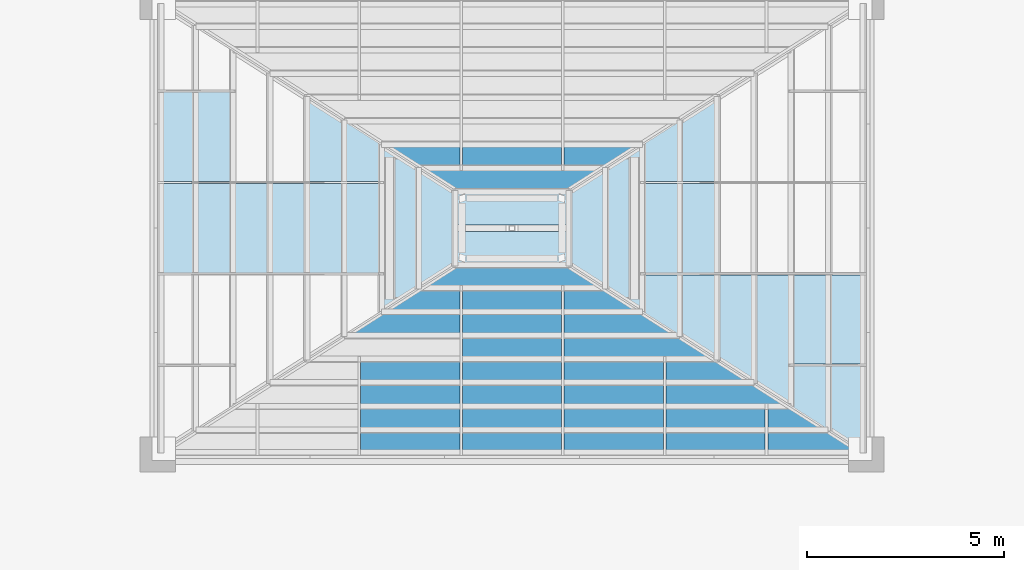
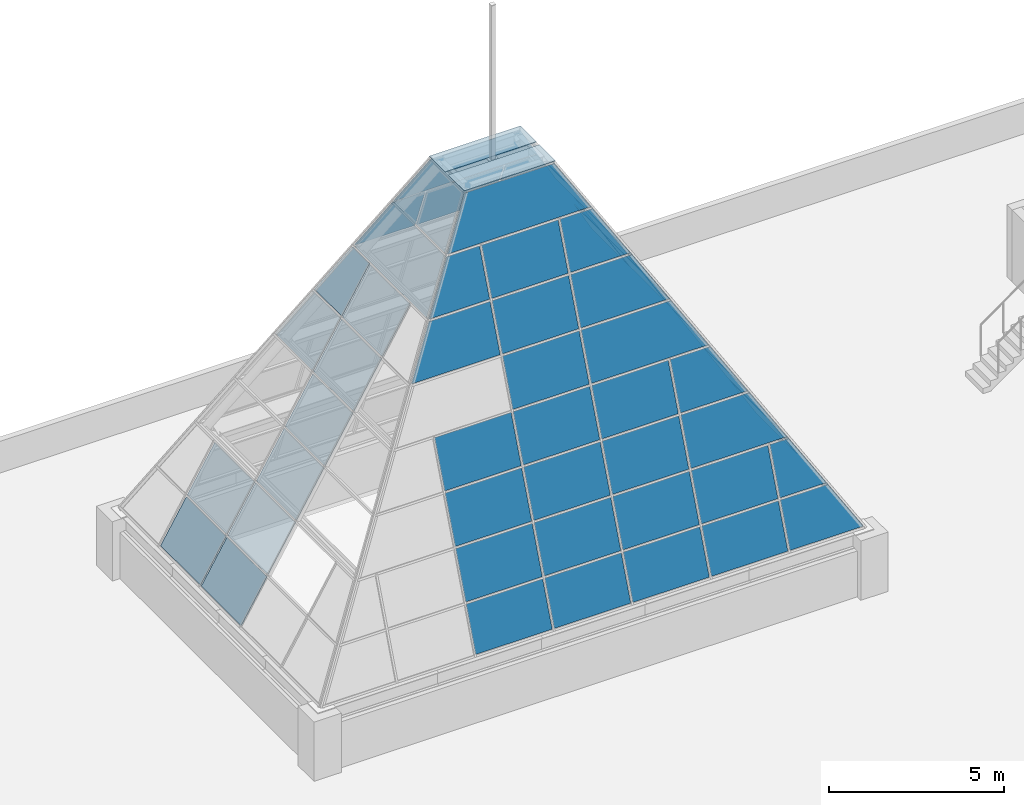
# One storey, part 5 of 8: 59 plates, 4 elements without a shape of their own.
"""IFC4 building model written with IfcOpenShell, lengths in metres."""

from ifc_helpers import new_model, si_unit, direction, frame, origin, place, context, subcontext, project, spatial, polyline, outline, extrude, material, layer, layer_set, type_object, element, aggregate, save


model = new_model("IFC4")

# Units and contexts
model_context = context("Model", 3, precision=1e-05, world=origin(), true_north=direction((0.0, 1.0)))
body_context = subcontext(model_context, "Body", "Model", "MODEL_VIEW")
ifc_project = project(units=[si_unit("LENGTHUNIT", "METRE"), si_unit("AREAUNIT", "SQUARE_METRE"), si_unit("VOLUMEUNIT", "CUBIC_METRE"), si_unit("PLANEANGLEUNIT", "RADIAN"), si_unit("MASSUNIT", "GRAM", prefix="KILO")], contexts=[model_context])

# Site, building, storey
site_placement = place(None, origin())
site = spatial("IfcSite", under=ifc_project, at=site_placement, CompositionType="ELEMENT")
building_placement = place(site_placement, origin())
building = spatial("IfcBuilding", under=site, at=building_placement, Name="Brigalow Station Residences", CompositionType="ELEMENT")
storey_placement = place(building_placement, frame((0.0, 0.0, 244.199951171875)))
storey = spatial("IfcBuildingStorey", under=building, at=storey_placement, Name="Roof", CompositionType="ELEMENT", Elevation=244.199951171875)

# Curtain wall, plates
ifc_material_1 = material(Name="Aluminium", Category="aluminium")
ifc_layer_1 = layer(ifc_material_1, 0.14990234375)
ifc_layer_set_1 = layer_set([ifc_layer_1], Name="CROWN CURTAIN WALL")
curtain_wall_type = type_object("IfcCurtainWallType", Name="CROWN CURTAIN WALL", PredefinedType="NOTDEFINED", material=ifc_layer_set_1)
curtain_wall_1_placement = place(storey_placement, origin())
curtain_wall_1 = element("IfcCurtainWall", 1, at=curtain_wall_1_placement, inside=storey, type_object=curtain_wall_type, Name="Roof/cw/crown-S", PredefinedType="NOTDEFINED")
ifc_material_2 = material(Name="Laminated low-emissivity glass, 24 mm", Category="glass")
ifc_layer_2 = layer(ifc_material_2, 0.02392578125)
ifc_layer_set_2 = layer_set([ifc_layer_2], Name="CROWN GLASS PANEL 24")
plate_type_1 = type_object("IfcPlateType", Name="CROWN GLASS PANEL 24", PredefinedType="CURTAIN_PANEL", material=ifc_layer_set_2)
plate_1_placement = place(storey_placement, frame((32.15380859375, 24.04052734375, 2.156982421875), z_axis=(0.0, -0.933889775991, 0.357561024581), x_axis=(1.0, 0.0, 0.0)))
plate_1 = element("IfcPlate", 2, at=plate_1_placement, type_object=plate_type_1, Name="Roof/cw/crown-S/P02-00", PredefinedType="CURTAIN_PANEL", context=body_context, shape_type="SweptSolid", body=[
    extrude(outline(polyline([(0.0, 0.0), (2.520751953125, 0.0), (2.520751953125, 1.52331405530761), (0.0, 1.52331405530761), (0.0, 0.0)])), origin(), (0.0, 0.0, -1.0), 0.02392578125),
])
plate_2_placement = place(storey_placement, frame((34.739501953125, 24.04052734375, 2.156982421875), z_axis=(0.0, -0.933889775991, 0.357561024581), x_axis=(1.0, 0.0, 0.0)))
plate_2 = element("IfcPlate", 3, at=plate_2_placement, type_object=plate_type_1, Name="Roof/cw/crown-S/P03-00", PredefinedType="CURTAIN_PANEL", context=body_context, shape_type="SweptSolid", body=[
    extrude(outline(polyline([(0.0, 0.0), (2.52099609375, 0.0), (2.52099609375, 1.5233140553076103), (0.0, 1.5233140553076103), (0.0, 0.0)])), origin(), (0.0, 0.0, -1.0), 0.02392578125),
])
plate_3_placement = place(storey_placement, frame((37.325439453125, 24.04052734375, 2.156982421875), z_axis=(0.0, -0.933889775991, 0.357561024581), x_axis=(1.0, 0.0, 0.0)))
plate_3 = element("IfcPlate", 4, at=plate_3_placement, type_object=plate_type_1, Name="Roof/cw/crown-S/P04-00", PredefinedType="CURTAIN_PANEL", context=body_context, shape_type="SweptSolid", body=[
    extrude(outline(polyline([(0.0, 0.0), (2.520751953125, 0.0), (2.520751953125, 1.52331405530761), (0.0, 1.52331405530761), (0.0, 0.0)])), origin(), (0.0, 0.0, -1.0), 0.02392578125),
])
plate_4_placement = place(storey_placement, frame((39.9111328125, 24.04052734375, 2.156982421875), z_axis=(0.0, -0.933889775991, 0.357561024581), x_axis=(1.0, 0.0, 0.0)))
plate_4 = element("IfcPlate", 5, at=plate_4_placement, type_object=plate_type_1, Name="Roof/cw/crown-S/P05-00", PredefinedType="CURTAIN_PANEL", context=body_context, shape_type="SweptSolid", body=[
    extrude(outline(polyline([(0.0, 0.0), (2.520751953125, 0.0), (2.520751953125, 1.52331405530761), (0.0, 1.52331405530761), (0.0, 0.0)])), origin(), (0.0, 0.0, -1.0), 0.02392578125),
])
plate_5_placement = place(storey_placement, frame((42.496826171875, 24.04052734375, 2.156982421875), z_axis=(0.0, -0.933889775991, 0.357561024581), x_axis=(1.0, 0.0, 0.0)))
plate_5 = element("IfcPlate", 6, at=plate_5_placement, type_object=plate_type_1, Name="Roof/cw/crown-S/P06-00", PredefinedType="CURTAIN_PANEL", context=body_context, shape_type="SweptSolid", body=[
    extrude(outline(polyline([(0.0, 0.0), (2.40966796875, 0.0), (1.55322265625, 1.5233140553076103), (0.0, 1.5233140553076103), (0.0, 0.0)])), origin(), (0.0, 0.0, -1.0), 0.02392578125),
])
plate_6_placement = place(storey_placement, frame((32.15380859375, 24.6083984375, 3.640380859375), z_axis=(0.0, -0.933944898525, 0.357417020466), x_axis=(1.0, 0.0, 0.0)))
plate_6 = element("IfcPlate", 7, at=plate_6_placement, type_object=plate_type_1, Name="Roof/cw/crown-S/P02-01", PredefinedType="CURTAIN_PANEL", context=body_context, shape_type="SweptSolid", body=[
    extrude(outline(polyline([(0.0, 0.0), (2.520751953125, 0.0), (2.520751953125, 1.6134098916108637), (0.0, 1.6134098916108637), (0.0, 0.0)])), origin(), (0.0, 0.0, -1.0), 0.02392578125),
])
plate_7_placement = place(storey_placement, frame((34.739501953125, 24.6083984375, 3.640380859375), z_axis=(0.0, -0.933944898525, 0.357417020466), x_axis=(1.0, 0.0, 0.0)))
plate_7 = element("IfcPlate", 8, at=plate_7_placement, type_object=plate_type_1, Name="Roof/cw/crown-S/P03-01", PredefinedType="CURTAIN_PANEL", context=body_context, shape_type="SweptSolid", body=[
    extrude(outline(polyline([(0.0, 0.0), (2.52099609375, 0.0), (2.52099609375, 1.6134098916108635), (0.0, 1.6134098916108635), (0.0, 0.0)])), origin(), (0.0, 0.0, -1.0), 0.02392578125),
])
plate_8_placement = place(storey_placement, frame((37.325439453125, 24.6083984375, 3.640380859375), z_axis=(0.0, -0.933944898525, 0.357417020466), x_axis=(1.0, 0.0, 0.0)))
plate_8 = element("IfcPlate", 9, at=plate_8_placement, type_object=plate_type_1, Name="Roof/cw/crown-S/P04-01", PredefinedType="CURTAIN_PANEL", context=body_context, shape_type="SweptSolid", body=[
    extrude(outline(polyline([(0.0, 0.0), (2.520751953125, 0.0), (2.520751953125, 1.6134098916108637), (0.0, 1.6134098916108637), (0.0, 0.0)])), origin(), (0.0, 0.0, -1.0), 0.02392578125),
])
plate_9_placement = place(storey_placement, frame((39.9111328125, 24.6083984375, 3.640380859375), z_axis=(0.0, -0.933944898525, 0.357417020466), x_axis=(1.0, 0.0, 0.0)))
plate_9 = element("IfcPlate", 10, at=plate_9_placement, type_object=plate_type_1, Name="Roof/cw/crown-S/P05-01", PredefinedType="CURTAIN_PANEL", context=body_context, shape_type="SweptSolid", body=[
    extrude(outline(polyline([(0.0, 0.0), (2.520751953125, 0.0), (2.520751953125, 1.6134098916108637), (0.0, 1.6134098916108637), (0.0, 0.0)])), origin(), (0.0, 0.0, -1.0), 0.02392578125),
])
plate_10_placement = place(storey_placement, frame((42.496826171875, 24.6083984375, 3.640380859375), z_axis=(0.0, -0.933944898525, 0.357417020466), x_axis=(1.0, 0.0, 0.0)))
plate_10 = element("IfcPlate", 11, at=plate_10_placement, type_object=plate_type_1, Name="Roof/cw/crown-S/P06-01", PredefinedType="CURTAIN_PANEL", context=body_context, shape_type="SweptSolid", body=[
    extrude(outline(polyline([(0.0, 0.0), (1.5166015625, 0.0), (0.609375, 1.6134098916108637), (0.0, 1.6134098916108637), (0.0, 0.0)])), origin(), (0.0, 0.0, -1.0), 0.02392578125),
])
plate_11_placement = place(storey_placement, frame((32.15380859375, 25.208251953125, 5.207763671875), z_axis=(0.0, -0.933894380251, 0.35754899879), x_axis=(1.0, 0.0, 0.0)))
plate_11 = element("IfcPlate", 12, at=plate_11_placement, type_object=plate_type_1, Name="Roof/cw/crown-S/P01-02", PredefinedType="CURTAIN_PANEL", context=body_context, shape_type="SweptSolid", body=[
    extrude(outline(polyline([(0.0, 0.0), (2.520751953125, 0.0), (2.520751953125, 1.6134971677366967), (0.0, 1.6134971677366967), (0.0, 0.0)])), origin(), (0.0, 0.0, -1.0), 0.02392578125),
])
plate_12_placement = place(storey_placement, frame((34.739501953125, 25.208251953125, 5.207763671875), z_axis=(0.0, -0.933894380251, 0.35754899879), x_axis=(1.0, 0.0, 0.0)))
plate_12 = element("IfcPlate", 13, at=plate_12_placement, type_object=plate_type_1, Name="Roof/cw/crown-S/P02-02", PredefinedType="CURTAIN_PANEL", context=body_context, shape_type="SweptSolid", body=[
    extrude(outline(polyline([(0.0, 0.0), (2.52099609375, 0.0), (2.52099609375, 1.613497167736697), (0.0, 1.613497167736697), (0.0, 0.0)])), origin(), (0.0, 0.0, -1.0), 0.02392578125),
])
plate_13_placement = place(storey_placement, frame((37.325439453125, 25.208251953125, 5.207763671875), z_axis=(0.0, -0.933894380251, 0.35754899879), x_axis=(1.0, 0.0, 0.0)))
plate_13 = element("IfcPlate", 14, at=plate_13_placement, type_object=plate_type_1, Name="Roof/cw/crown-S/P03-02", PredefinedType="CURTAIN_PANEL", context=body_context, shape_type="SweptSolid", body=[
    extrude(outline(polyline([(0.0, 0.0), (2.520751953125, 0.0), (2.520751953125, 1.6134971677366967), (0.0, 1.6134971677366967), (0.0, 0.0)])), origin(), (0.0, 0.0, -1.0), 0.02392578125),
])
plate_14_placement = place(storey_placement, frame((39.9111328125, 25.208251953125, 5.207763671875), z_axis=(0.0, -0.933894380251, 0.35754899879), x_axis=(1.0, 0.0, 0.0)))
plate_14 = element("IfcPlate", 15, at=plate_14_placement, type_object=plate_type_1, Name="Roof/cw/crown-S/P04-02", PredefinedType="CURTAIN_PANEL", context=body_context, shape_type="SweptSolid", body=[
    extrude(outline(polyline([(0.0, 0.0), (3.158447265625, 0.0), (2.25146484375, 1.6134971677366967), (0.0, 1.6134971677366967), (0.0, 0.0)])), origin(), (0.0, 0.0, -1.0), 0.02392578125),
])
plate_15_placement = place(storey_placement, frame((32.15380859375, 25.808349609375, 6.775146484375), z_axis=(0.0, -0.933944898525, 0.357417020466), x_axis=(1.0, 0.0, 0.0)))
plate_15 = element("IfcPlate", 16, at=plate_15_placement, type_object=plate_type_1, Name="Roof/cw/crown-S/P01-03", PredefinedType="CURTAIN_PANEL", context=body_context, shape_type="SweptSolid", body=[
    extrude(outline(polyline([(0.0, 0.0), (2.520751953125, 0.0), (2.520751953125, 1.6134098916108637), (0.0, 1.6134098916108637), (0.0, 0.0)])), origin(), (0.0, 0.0, -1.0), 0.02392578125),
])
plate_16_placement = place(storey_placement, frame((34.739501953125, 25.808349609375, 6.775146484375), z_axis=(0.0, -0.933944898525, 0.357417020466), x_axis=(1.0, 0.0, 0.0)))
plate_16 = element("IfcPlate", 17, at=plate_16_placement, type_object=plate_type_1, Name="Roof/cw/crown-S/P02-03", PredefinedType="CURTAIN_PANEL", context=body_context, shape_type="SweptSolid", body=[
    extrude(outline(polyline([(0.0, 0.0), (2.52099609375, 0.0), (2.52099609375, 1.6134098916108635), (0.0, 1.6134098916108635), (0.0, 0.0)])), origin(), (0.0, 0.0, -1.0), 0.02392578125),
])
plate_17_placement = place(storey_placement, frame((37.325439453125, 25.808349609375, 6.775146484375), z_axis=(0.0, -0.933944898525, 0.357417020466), x_axis=(1.0, 0.0, 0.0)))
plate_17 = element("IfcPlate", 18, at=plate_17_placement, type_object=plate_type_1, Name="Roof/cw/crown-S/P03-03", PredefinedType="CURTAIN_PANEL", context=body_context, shape_type="SweptSolid", body=[
    extrude(outline(polyline([(0.0, 0.0), (2.520751953125, 0.0), (2.520751953125, 1.6134098916108637), (0.0, 1.6134098916108637), (0.0, 0.0)])), origin(), (0.0, 0.0, -1.0), 0.02392578125),
])
plate_18_placement = place(storey_placement, frame((39.9111328125, 25.808349609375, 6.775146484375), z_axis=(0.0, -0.933944898525, 0.357417020466), x_axis=(1.0, 0.0, 0.0)))
plate_18 = element("IfcPlate", 19, at=plate_18_placement, type_object=plate_type_1, Name="Roof/cw/crown-S/P04-03", PredefinedType="CURTAIN_PANEL", context=body_context, shape_type="SweptSolid", body=[
    extrude(outline(polyline([(0.0, 0.0), (2.21484375, 0.0), (1.3076171875, 1.6134098916108635), (0.0, 1.6134098916108635), (0.0, 0.0)])), origin(), (0.0, 0.0, -1.0), 0.02392578125),
])
plate_19_placement = place(storey_placement, frame((34.739501953125, 26.408203125, 8.3427734375), z_axis=(0.0, -0.933875032297, 0.357599530274), x_axis=(1.0, 0.0, 0.0)))
plate_19 = element("IfcPlate", 20, at=plate_19_placement, type_object=plate_type_1, Name="Roof/cw/crown-S/P01-04", PredefinedType="CURTAIN_PANEL", context=body_context, shape_type="SweptSolid", body=[
    extrude(outline(polyline([(0.0, 0.0), (2.52099609375, 0.0), (2.52099609375, 1.6132691685406622), (0.0, 1.6132691685406622), (0.0, 0.0)])), origin(), (0.0, 0.0, -1.0), 0.02392578125),
])
plate_20_placement = place(storey_placement, frame((37.325439453125, 26.408203125, 8.3427734375), z_axis=(0.0, -0.933875032297, 0.357599530274), x_axis=(1.0, 0.0, 0.0)))
plate_20 = element("IfcPlate", 21, at=plate_20_placement, type_object=plate_type_1, Name="Roof/cw/crown-S/P02-04", PredefinedType="CURTAIN_PANEL", context=body_context, shape_type="SweptSolid", body=[
    extrude(outline(polyline([(0.0, 0.0), (3.856689453125, 0.0), (2.949462890625, 1.6132691685406622), (0.0, 1.6132691685406622), (0.0, 0.0)])), origin(), (0.0, 0.0, -1.0), 0.02392578125),
])
plate_21_placement = place(storey_placement, frame((31.76171875, 27.00830078125, 9.91015625), z_axis=(0.0, -0.933894380251, 0.35754899879), x_axis=(1.0, 0.0, 0.0)))
plate_21 = element("IfcPlate", 22, at=plate_21_placement, type_object=plate_type_1, Name="Roof/cw/crown-S/P00-05", PredefinedType="CURTAIN_PANEL", context=body_context, shape_type="SweptSolid", body=[
    extrude(outline(polyline([(0.0, 0.0), (2.912841796875, 0.0), (2.912841796875, 1.6134971677366967), (0.906982421875, 1.6134971677366967), (0.0, 0.0)])), origin(), (0.0, 0.0, -1.0), 0.02392578125),
])
plate_22_placement = place(storey_placement, frame((34.739501953125, 27.00830078125, 9.91015625), z_axis=(0.0, -0.933894380251, 0.35754899879), x_axis=(1.0, 0.0, 0.0)))
plate_22 = element("IfcPlate", 23, at=plate_22_placement, type_object=plate_type_1, Name="Roof/cw/crown-S/P01-05", PredefinedType="CURTAIN_PANEL", context=body_context, shape_type="SweptSolid", body=[
    extrude(outline(polyline([(0.0, 0.0), (2.52099609375, 0.0), (2.52099609375, 1.613497167736697), (0.0, 1.613497167736697), (0.0, 0.0)])), origin(), (0.0, 0.0, -1.0), 0.02392578125),
])
plate_23_placement = place(storey_placement, frame((37.325439453125, 27.00830078125, 9.91015625), z_axis=(0.0, -0.933894380251, 0.35754899879), x_axis=(1.0, 0.0, 0.0)))
plate_23 = element("IfcPlate", 24, at=plate_23_placement, type_object=plate_type_1, Name="Roof/cw/crown-S/P02-05", PredefinedType="CURTAIN_PANEL", context=body_context, shape_type="SweptSolid", body=[
    extrude(outline(polyline([(0.0, 0.0), (2.912841796875, 0.0), (2.005859375, 1.6134971677366967), (0.0, 1.6134971677366967), (0.0, 0.0)])), origin(), (0.0, 0.0, -1.0), 0.02392578125),
])
plate_24_placement = place(storey_placement, frame((32.705322265625, 27.6083984375, 11.4775390625), z_axis=(0.0, -0.933944898525, 0.357417020466), x_axis=(1.0, 0.0, 0.0)))
plate_24 = element("IfcPlate", 25, at=plate_24_placement, type_object=plate_type_1, Name="Roof/cw/crown-S/P00-06", PredefinedType="CURTAIN_PANEL", context=body_context, shape_type="SweptSolid", body=[
    extrude(outline(polyline([(0.0, 0.0), (1.96923828125, 0.0), (1.96923828125, 1.6134098916108635), (0.9072265625, 1.6134098916108635), (0.0, 0.0)])), origin(), (0.0, 0.0, -1.0), 0.02392578125),
])
plate_25_placement = place(storey_placement, frame((34.739501953125, 27.6083984375, 11.4775390625), z_axis=(0.0, -0.933944898525, 0.357417020466), x_axis=(1.0, 0.0, 0.0)))
plate_25 = element("IfcPlate", 26, at=plate_25_placement, type_object=plate_type_1, Name="Roof/cw/crown-S/P01-06", PredefinedType="CURTAIN_PANEL", context=body_context, shape_type="SweptSolid", body=[
    extrude(outline(polyline([(0.0, 0.0), (2.52099609375, 0.0), (2.52099609375, 1.6134098916108635), (0.0, 1.6134098916108635), (0.0, 0.0)])), origin(), (0.0, 0.0, -1.0), 0.02392578125),
])
plate_26_placement = place(storey_placement, frame((37.325439453125, 27.6083984375, 11.4775390625), z_axis=(0.0, -0.933944898525, 0.357417020466), x_axis=(1.0, 0.0, 0.0)))
plate_26 = element("IfcPlate", 27, at=plate_26_placement, type_object=plate_type_1, Name="Roof/cw/crown-S/P02-06", PredefinedType="CURTAIN_PANEL", context=body_context, shape_type="SweptSolid", body=[
    extrude(outline(polyline([(0.0, 0.0), (1.96923828125, 0.0), (1.06201171875, 1.6134098916108635), (0.0, 1.6134098916108635), (0.0, 0.0)])), origin(), (0.0, 0.0, -1.0), 0.02392578125),
])
plate_27_placement = place(storey_placement, frame((33.649169921875, 28.208251953125, 13.045166015625), z_axis=(0.0, -0.933901741184, 0.357529771927), x_axis=(1.0, 0.0, 0.0)))
plate_27 = element("IfcPlate", 28, at=plate_27_placement, type_object=plate_type_1, Name="Roof/cw/crown-S/P00-07", PredefinedType="CURTAIN_PANEL", context=body_context, shape_type="SweptSolid", body=[
    extrude(outline(polyline([(0.0, 0.0), (4.70166015625, 0.0), (3.812744140625, 1.5808069460323368), (0.888916015625, 1.5808069460323368), (0.0, 0.0)])), origin(), (0.0, 0.0, -1.0), 0.02392578125),
])
aggregate(curtain_wall_1, [plate_1, plate_2, plate_3, plate_4, plate_5, plate_6, plate_7, plate_8, plate_9, plate_10, plate_11, plate_12, plate_13, plate_14, plate_15, plate_16, plate_17, plate_18, plate_19, plate_20, plate_21, plate_22, plate_23, plate_24, plate_25, plate_26, plate_27])

curtain_wall_2_placement = place(storey_placement, origin())
curtain_wall_2 = element("IfcCurtainWall", 29, at=curtain_wall_2_placement, inside=storey, type_object=curtain_wall_type, Name="Roof/cw/crown-E", PredefinedType="NOTDEFINED")
plate_28_placement = place(storey_placement, frame((44.927001953125, 24.0537109375, 2.167724609375), z_axis=(0.856678360594, 0.0, 0.515850934369), x_axis=(0.0, 1.0, 0.0)))
plate_28 = element("IfcPlate", 30, at=plate_28_placement, type_object=plate_type_1, Name="Roof/cw/crown-E/P00-00", PredefinedType="CURTAIN_PANEL", context=body_context, shape_type="SweptSolid", body=[
    extrude(outline(polyline([(0.0, 0.0), (2.19140625, 0.0), (2.19140625, 1.641799542653841), (0.538330078125, 1.641799542653841), (0.0, 0.0)])), origin(), (0.0, 0.0, -1.0), 0.02392578125),
])
plate_29_placement = place(storey_placement, frame((44.927001953125, 26.294921875, 2.167724609375), z_axis=(0.856678360594, 0.0, 0.515850934369), x_axis=(0.0, 1.0, 0.0)))
plate_29 = element("IfcPlate", 31, at=plate_29_placement, type_object=plate_type_1, Name="Roof/cw/crown-E/P01-00", PredefinedType="CURTAIN_PANEL", context=body_context, shape_type="SweptSolid", body=[
    extrude(outline(polyline([(0.0, 0.0), (2.27001953125, 0.0), (2.27001953125, 1.641799542653841), (0.0, 1.641799542653841), (0.0, 0.0)])), origin(), (0.0, 0.0, -1.0), 0.02392578125),
])
plate_30_placement = place(storey_placement, frame((44.046630859375, 24.61328125, 3.6298828125), z_axis=(0.856747426204, 0.0, 0.515736219101), x_axis=(0.0, 1.0, 0.0)))
plate_30 = element("IfcPlate", 32, at=plate_30_placement, type_object=plate_type_1, Name="Roof/cw/crown-E/P00-01", PredefinedType="CURTAIN_PANEL", context=body_context, shape_type="SweptSolid", body=[
    extrude(outline(polyline([(0.0, 0.0), (1.6318359375, 0.0), (1.6318359375, 1.7647708582252735), (0.57861328125, 1.7647708582252735), (0.0, 0.0)])), origin(), (0.0, 0.0, -1.0), 0.02392578125),
])
plate_31_placement = place(storey_placement, frame((44.046630859375, 26.294921875, 3.6298828125), z_axis=(0.856747426204, 0.0, 0.515736219101), x_axis=(0.0, 1.0, 0.0)))
plate_31 = element("IfcPlate", 33, at=plate_31_placement, type_object=plate_type_1, Name="Roof/cw/crown-E/P01-01", PredefinedType="CURTAIN_PANEL", context=body_context, shape_type="SweptSolid", body=[
    extrude(outline(polyline([(0.0, 0.0), (2.27001953125, 0.0), (2.27001953125, 1.7647708582252735), (0.0, 1.7647708582252735), (0.0, 0.0)])), origin(), (0.0, 0.0, -1.0), 0.02392578125),
])
plate_32_placement = place(storey_placement, frame((43.102783203125, 25.21337890625, 5.197509765625), z_axis=(0.856710623121, 0.0, 0.515797351905), x_axis=(0.0, 1.0, 0.0)))
plate_32 = element("IfcPlate", 34, at=plate_32_placement, type_object=plate_type_1, Name="Roof/cw/crown-E/P00-02", PredefinedType="CURTAIN_PANEL", context=body_context, shape_type="SweptSolid", body=[
    extrude(outline(polyline([(0.0, 0.0), (3.3515625, 0.0), (3.3515625, 1.7645616958654702), (0.57861328125, 1.7645616958654702), (0.0, 0.0)])), origin(), (0.0, 0.0, -1.0), 0.02392578125),
])
plate_33_placement = place(storey_placement, frame((42.1591796875, 25.813232421875, 6.764892578125), z_axis=(0.856649482729, 0.0, 0.515898889066), x_axis=(0.0, 1.0, 0.0)))
plate_33 = element("IfcPlate", 35, at=plate_33_placement, type_object=plate_type_1, Name="Roof/cw/crown-E/P00-03", PredefinedType="CURTAIN_PANEL", context=body_context, shape_type="SweptSolid", body=[
    extrude(outline(polyline([(0.0, 0.0), (2.751708984375, 0.0), (2.751708984375, 1.7646876353484533), (0.578857421875, 1.7646876353484533), (0.0, 0.0)])), origin(), (0.0, 0.0, -1.0), 0.02392578125),
])
plate_34_placement = place(storey_placement, frame((41.21533203125, 26.413330078125, 8.332275390625), z_axis=(0.856710623121, 0.0, 0.515797351905), x_axis=(0.0, 1.0, 0.0)))
plate_34 = element("IfcPlate", 36, at=plate_34_placement, type_object=plate_type_1, Name="Roof/cw/crown-E/P00-04", PredefinedType="CURTAIN_PANEL", context=body_context, shape_type="SweptSolid", body=[
    extrude(outline(polyline([(0.0, 0.0), (2.151611328125, 0.0), (2.151611328125, 1.7645616958654706), (0.57861328125, 1.7645616958654706), (0.0, 0.0)])), origin(), (0.0, 0.0, -1.0), 0.02392578125),
])
plate_35_placement = place(storey_placement, frame((41.21533203125, 28.614990234375, 8.332275390625), z_axis=(0.856710623121, 0.0, 0.515797351905), x_axis=(0.0, 1.0, 0.0)))
plate_35 = element("IfcPlate", 37, at=plate_35_placement, type_object=plate_type_1, Name="Roof/cw/crown-E/P01-04", PredefinedType="CURTAIN_PANEL", context=body_context, shape_type="SweptSolid", body=[
    extrude(outline(polyline([(0.0, 0.0), (2.27001953125, 0.0), (2.27001953125, 1.7645616958654706), (0.0, 1.7645616958654706), (0.0, 0.0)])), origin(), (0.0, 0.0, -1.0), 0.02392578125),
])
plate_36_placement = place(storey_placement, frame((41.21533203125, 30.93505859375, 8.332275390625), z_axis=(0.856710623121, 0.0, 0.515797351905), x_axis=(0.0, 1.0, 0.0)))
plate_36 = element("IfcPlate", 38, at=plate_36_placement, type_object=plate_type_1, Name="Roof/cw/crown-E/P02-04", PredefinedType="CURTAIN_PANEL", context=body_context, shape_type="SweptSolid", body=[
    extrude(outline(polyline([(0.0, 0.0), (2.151611328125, 0.0), (1.572998046875, 1.7645616958654706), (0.0, 1.7645616958654706), (0.0, 0.0)])), origin(), (0.0, 0.0, -1.0), 0.02392578125),
])
plate_37_placement = place(storey_placement, frame((40.271728515625, 27.01318359375, 9.899658203125), z_axis=(0.856686297677, 0.0, 0.515837752953), x_axis=(0.0, 1.0, 0.0)))
plate_37 = element("IfcPlate", 39, at=plate_37_placement, type_object=plate_type_1, Name="Roof/cw/crown-E/P00-05", PredefinedType="CURTAIN_PANEL", context=body_context, shape_type="SweptSolid", body=[
    extrude(outline(polyline([(0.0, 0.0), (1.5517578125, 0.0), (1.5517578125, 1.764896782782851), (0.578857421875, 1.764896782782851), (0.0, 0.0)])), origin(), (0.0, 0.0, -1.0), 0.02392578125),
])
plate_38_placement = place(storey_placement, frame((40.271728515625, 28.614990234375, 9.899658203125), z_axis=(0.856686297677, 0.0, 0.515837752953), x_axis=(0.0, 1.0, 0.0)))
plate_38 = element("IfcPlate", 40, at=plate_38_placement, type_object=plate_type_1, Name="Roof/cw/crown-E/P01-05", PredefinedType="CURTAIN_PANEL", context=body_context, shape_type="SweptSolid", body=[
    extrude(outline(polyline([(0.0, 0.0), (2.27001953125, 0.0), (2.27001953125, 1.7648967827828512), (0.0, 1.7648967827828512), (0.0, 0.0)])), origin(), (0.0, 0.0, -1.0), 0.02392578125),
])
plate_39_placement = place(storey_placement, frame((40.271728515625, 30.93505859375, 9.899658203125), z_axis=(0.856686297677, 0.0, 0.515837752953), x_axis=(0.0, 1.0, 0.0)))
plate_39 = element("IfcPlate", 41, at=plate_39_placement, type_object=plate_type_1, Name="Roof/cw/crown-E/P02-05", PredefinedType="CURTAIN_PANEL", context=body_context, shape_type="SweptSolid", body=[
    extrude(outline(polyline([(0.0, 0.0), (1.5517578125, 0.0), (0.972900390625, 1.764896782782851), (0.0, 1.764896782782851), (0.0, 0.0)])), origin(), (0.0, 0.0, -1.0), 0.02392578125),
])
plate_40_placement = place(storey_placement, frame((39.327880859375, 27.61328125, 11.46728515625), z_axis=(0.856710623121, 0.0, 0.515797351905), x_axis=(0.0, 1.0, 0.0)))
plate_40 = element("IfcPlate", 42, at=plate_40_placement, type_object=plate_type_1, Name="Roof/cw/crown-E/P00-06", PredefinedType="CURTAIN_PANEL", context=body_context, shape_type="SweptSolid", body=[
    extrude(outline(polyline([(0.0, 0.0), (4.2734375, 0.0), (3.69482421875, 1.7645616958654702), (0.57861328125, 1.7645616958654702), (0.0, 0.0)])), origin(), (0.0, 0.0, -1.0), 0.02392578125),
])
plate_41_placement = place(storey_placement, frame((38.38427734375, 28.21337890625, 13.03466796875), z_axis=(0.856671030115, 0.0, 0.515863107967), x_axis=(0.0, 1.0, 0.0)))
plate_41 = element("IfcPlate", 43, at=plate_41_placement, type_object=plate_type_1, Name="Roof/cw/crown-E/P00-07", PredefinedType="CURTAIN_PANEL", context=body_context, shape_type="SweptSolid", body=[
    extrude(outline(polyline([(0.0, 0.0), (3.0732421875, 0.0), (2.50537109375, 1.7321546621580486), (0.56787109375, 1.7321546621580486), (0.0, 0.0)])), origin(), (0.0, 0.0, -1.0), 0.02392578125),
])
aggregate(curtain_wall_2, [plate_28, plate_29, plate_30, plate_31, plate_32, plate_33, plate_34, plate_35, plate_36, plate_37, plate_38, plate_39, plate_40, plate_41])

curtain_wall_3_placement = place(storey_placement, origin())
curtain_wall_3 = element("IfcCurtainWall", 44, at=curtain_wall_3_placement, inside=storey, type_object=curtain_wall_type, Name="Roof/cw/crown-N", PredefinedType="NOTDEFINED")
plate_42_placement = place(storey_placement, frame((39.294677734375, 31.8916015625, 11.4775390625), z_axis=(0.0, 0.933944898525, 0.357417020466), x_axis=(-1.0, 0.0, 0.0)))
plate_42 = element("IfcPlate", 45, at=plate_42_placement, type_object=plate_type_1, Name="Roof/cw/crown-N/P00-06", PredefinedType="CURTAIN_PANEL", context=body_context, shape_type="SweptSolid", body=[
    extrude(outline(polyline([(0.0, 0.0), (1.96923828125, 0.0), (1.96923828125, 1.6134098916108635), (0.9072265625, 1.6134098916108635), (0.0, 0.0)])), origin(), (0.0, 0.0, -1.0), 0.02392578125),
])
plate_43_placement = place(storey_placement, frame((37.260498046875, 31.8916015625, 11.4775390625), z_axis=(0.0, 0.933944898525, 0.357417020466), x_axis=(-1.0, 0.0, 0.0)))
plate_43 = element("IfcPlate", 46, at=plate_43_placement, type_object=plate_type_1, Name="Roof/cw/crown-N/P01-06", PredefinedType="CURTAIN_PANEL", context=body_context, shape_type="SweptSolid", body=[
    extrude(outline(polyline([(0.0, 0.0), (2.52099609375, 0.0), (2.52099609375, 1.6134098916108635), (0.0, 1.6134098916108635), (0.0, 0.0)])), origin(), (0.0, 0.0, -1.0), 0.02392578125),
])
plate_44_placement = place(storey_placement, frame((34.674560546875, 31.8916015625, 11.4775390625), z_axis=(0.0, 0.933944898525, 0.357417020466), x_axis=(-1.0, 0.0, 0.0)))
plate_44 = element("IfcPlate", 47, at=plate_44_placement, type_object=plate_type_1, Name="Roof/cw/crown-N/P02-06", PredefinedType="CURTAIN_PANEL", context=body_context, shape_type="SweptSolid", body=[
    extrude(outline(polyline([(0.0, 0.0), (1.96923828125, 0.0), (1.06201171875, 1.6134098916108635), (0.0, 1.6134098916108635), (0.0, 0.0)])), origin(), (0.0, 0.0, -1.0), 0.02392578125),
])
plate_45_placement = place(storey_placement, frame((38.350830078125, 31.291748046875, 13.045166015625), z_axis=(0.0, 0.933901741184, 0.357529771927), x_axis=(-1.0, 0.0, 0.0)))
plate_45 = element("IfcPlate", 48, at=plate_45_placement, type_object=plate_type_1, Name="Roof/cw/crown-N/P00-07", PredefinedType="CURTAIN_PANEL", context=body_context, shape_type="SweptSolid", body=[
    extrude(outline(polyline([(0.0, 0.0), (4.70166015625, 0.0), (3.812744140625, 1.5808069460323368), (0.888916015625, 1.5808069460323368), (0.0, 0.0)])), origin(), (0.0, 0.0, -1.0), 0.02392578125),
])
aggregate(curtain_wall_3, [plate_42, plate_43, plate_44, plate_45])

curtain_wall_4_placement = place(storey_placement, origin())
curtain_wall_4 = element("IfcCurtainWall", 49, at=curtain_wall_4_placement, inside=storey, type_object=curtain_wall_type, Name="Roof/cw/crown-W", PredefinedType="NOTDEFINED")
plate_46_placement = place(storey_placement, frame((27.072998046875, 33.205078125, 2.167724609375), z_axis=(-0.856678360594, 0.0, 0.515850934369), x_axis=(0.0, -1.0, 0.0)))
plate_46 = element("IfcPlate", 50, at=plate_46_placement, type_object=plate_type_1, Name="Roof/cw/crown-W/P01-00", PredefinedType="CURTAIN_PANEL", context=body_context, shape_type="SweptSolid", body=[
    extrude(outline(polyline([(0.0, 0.0), (2.27001953125, 0.0), (2.27001953125, 1.641799542653841), (0.0, 1.641799542653841), (0.0, 0.0)])), origin(), (0.0, 0.0, -1.0), 0.02392578125),
])
plate_47_placement = place(storey_placement, frame((27.072998046875, 30.885009765625, 2.167724609375), z_axis=(-0.856678360594, 0.0, 0.515850934369), x_axis=(0.0, -1.0, 0.0)))
plate_47 = element("IfcPlate", 51, at=plate_47_placement, type_object=plate_type_1, Name="Roof/cw/crown-W/P02-00", PredefinedType="CURTAIN_PANEL", context=body_context, shape_type="SweptSolid", body=[
    extrude(outline(polyline([(0.0, 0.0), (2.27001953125, 0.0), (2.27001953125, 1.641799542653841), (0.0, 1.641799542653841), (0.0, 0.0)])), origin(), (0.0, 0.0, -1.0), 0.02392578125),
])
plate_48_placement = place(storey_placement, frame((27.953369140625, 33.205078125, 3.6298828125), z_axis=(-0.856747426204, 0.0, 0.515736219101), x_axis=(0.0, -1.0, 0.0)))
plate_48 = element("IfcPlate", 52, at=plate_48_placement, type_object=plate_type_1, Name="Roof/cw/crown-W/P01-01", PredefinedType="CURTAIN_PANEL", context=body_context, shape_type="SweptSolid", body=[
    extrude(outline(polyline([(0.0, 0.0), (2.27001953125, 0.0), (2.27001953125, 1.7647708582252735), (0.0, 1.7647708582252735), (0.0, 0.0)])), origin(), (0.0, 0.0, -1.0), 0.02392578125),
])
plate_49_placement = place(storey_placement, frame((27.953369140625, 30.885009765625, 3.6298828125), z_axis=(-0.856747426204, 0.0, 0.515736219101), x_axis=(0.0, -1.0, 0.0)))
plate_49 = element("IfcPlate", 53, at=plate_49_placement, type_object=plate_type_1, Name="Roof/cw/crown-W/P02-01", PredefinedType="CURTAIN_PANEL", context=body_context, shape_type="SweptSolid", body=[
    extrude(outline(polyline([(0.0, 0.0), (2.27001953125, 0.0), (2.27001953125, 1.7647708582252735), (0.0, 1.7647708582252735), (0.0, 0.0)])), origin(), (0.0, 0.0, -1.0), 0.02392578125),
])
plate_50_placement = place(storey_placement, frame((28.897216796875, 30.885009765625, 5.197509765625), z_axis=(-0.856710623121, 0.0, 0.515797351905), x_axis=(0.0, -1.0, 0.0)))
plate_50 = element("IfcPlate", 54, at=plate_50_placement, type_object=plate_type_1, Name="Roof/cw/crown-W/P01-02", PredefinedType="CURTAIN_PANEL", context=body_context, shape_type="SweptSolid", body=[
    extrude(outline(polyline([(0.0, 0.0), (2.27001953125, 0.0), (2.27001953125, 1.7645616958654706), (0.0, 1.7645616958654706), (0.0, 0.0)])), origin(), (0.0, 0.0, -1.0), 0.02392578125),
])
plate_51_placement = place(storey_placement, frame((29.8408203125, 30.885009765625, 6.764892578125), z_axis=(-0.856649482729, 0.0, 0.515898889066), x_axis=(0.0, -1.0, 0.0)))
plate_51 = element("IfcPlate", 55, at=plate_51_placement, type_object=plate_type_1, Name="Roof/cw/crown-W/P01-03", PredefinedType="CURTAIN_PANEL", context=body_context, shape_type="SweptSolid", body=[
    extrude(outline(polyline([(0.0, 0.0), (2.27001953125, 0.0), (2.27001953125, 1.7646876353484533), (0.0, 1.7646876353484533), (0.0, 0.0)])), origin(), (0.0, 0.0, -1.0), 0.02392578125),
])
plate_52_placement = place(storey_placement, frame((30.78466796875, 33.086669921875, 8.332275390625), z_axis=(-0.856710623121, 0.0, 0.515797351905), x_axis=(0.0, -1.0, 0.0)))
plate_52 = element("IfcPlate", 56, at=plate_52_placement, type_object=plate_type_1, Name="Roof/cw/crown-W/P00-04", PredefinedType="CURTAIN_PANEL", context=body_context, shape_type="SweptSolid", body=[
    extrude(outline(polyline([(0.0, 0.0), (2.151611328125, 0.0), (2.151611328125, 1.7645616958654706), (0.57861328125, 1.7645616958654706), (0.0, 0.0)])), origin(), (0.0, 0.0, -1.0), 0.02392578125),
])
plate_53_placement = place(storey_placement, frame((30.78466796875, 30.885009765625, 8.332275390625), z_axis=(-0.856710623121, 0.0, 0.515797351905), x_axis=(0.0, -1.0, 0.0)))
plate_53 = element("IfcPlate", 57, at=plate_53_placement, type_object=plate_type_1, Name="Roof/cw/crown-W/P01-04", PredefinedType="CURTAIN_PANEL", context=body_context, shape_type="SweptSolid", body=[
    extrude(outline(polyline([(0.0, 0.0), (2.27001953125, 0.0), (2.27001953125, 1.7645616958654706), (0.0, 1.7645616958654706), (0.0, 0.0)])), origin(), (0.0, 0.0, -1.0), 0.02392578125),
])
plate_54_placement = place(storey_placement, frame((31.728271484375, 32.48681640625, 9.899658203125), z_axis=(-0.856686297677, 0.0, 0.515837752953), x_axis=(0.0, -1.0, 0.0)))
plate_54 = element("IfcPlate", 58, at=plate_54_placement, type_object=plate_type_1, Name="Roof/cw/crown-W/P00-05", PredefinedType="CURTAIN_PANEL", context=body_context, shape_type="SweptSolid", body=[
    extrude(outline(polyline([(0.0, 0.0), (1.5517578125, 0.0), (1.5517578125, 1.764896782782851), (0.578857421875, 1.764896782782851), (0.0, 0.0)])), origin(), (0.0, 0.0, -1.0), 0.02392578125),
])
plate_55_placement = place(storey_placement, frame((31.728271484375, 30.885009765625, 9.899658203125), z_axis=(-0.856686297677, 0.0, 0.515837752953), x_axis=(0.0, -1.0, 0.0)))
plate_55 = element("IfcPlate", 59, at=plate_55_placement, type_object=plate_type_1, Name="Roof/cw/crown-W/P01-05", PredefinedType="CURTAIN_PANEL", context=body_context, shape_type="SweptSolid", body=[
    extrude(outline(polyline([(0.0, 0.0), (2.27001953125, 0.0), (2.27001953125, 1.7648967827828512), (0.0, 1.7648967827828512), (0.0, 0.0)])), origin(), (0.0, 0.0, -1.0), 0.02392578125),
])
plate_56_placement = place(storey_placement, frame((32.672119140625, 31.88671875, 11.46728515625), z_axis=(-0.856710623121, 0.0, 0.515797351905), x_axis=(0.0, -1.0, 0.0)))
plate_56 = element("IfcPlate", 60, at=plate_56_placement, type_object=plate_type_1, Name="Roof/cw/crown-W/P00-06", PredefinedType="CURTAIN_PANEL", context=body_context, shape_type="SweptSolid", body=[
    extrude(outline(polyline([(0.0, 0.0), (4.2734375, 0.0), (3.69482421875, 1.7645616958654702), (0.57861328125, 1.7645616958654702), (0.0, 0.0)])), origin(), (0.0, 0.0, -1.0), 0.02392578125),
])
plate_57_placement = place(storey_placement, frame((33.61572265625, 31.28662109375, 13.03466796875), z_axis=(-0.856671030115, 0.0, 0.515863107967), x_axis=(0.0, -1.0, 0.0)))
plate_57 = element("IfcPlate", 61, at=plate_57_placement, type_object=plate_type_1, Name="Roof/cw/crown-W/P00-07", PredefinedType="CURTAIN_PANEL", context=body_context, shape_type="SweptSolid", body=[
    extrude(outline(polyline([(0.0, 0.0), (3.0732421875, 0.0), (2.50537109375, 1.7321546621580486), (0.56787109375, 1.7321546621580486), (0.0, 0.0)])), origin(), (0.0, 0.0, -1.0), 0.02392578125),
])
aggregate(curtain_wall_4, [plate_46, plate_47, plate_48, plate_49, plate_50, plate_51, plate_52, plate_53, plate_54, plate_55, plate_56, plate_57])

# Plates
ifc_material_3 = material(Name="Steel Grade 350 to AS/NZS 3678", Category="steel")
ifc_layer_3 = layer(ifc_material_3, 0.02001953125)
ifc_layer_set_3 = layer_set([ifc_layer_3], Name="CROWN TIP CAP PLATE 20")
plate_type_2 = type_object("IfcPlateType", Name="CROWN TIP CAP PLATE 20", PredefinedType="SHEET", material=ifc_layer_set_3)
for number, where, z_axis, x_axis, name in (
    (62, (34.5, 29.83544921875, 14.6201171875), (0.0, 0.0, 1.0), (1.0, 0.0, 0.0), "CROWN TIP CAP PLATE N"),
    (63, (34.5, 28.75, 14.6201171875), (0.0, 0.0, 1.0), (1.0, 0.0, 0.0), "CROWN TIP CAP PLATE S"),
):
    element("IfcPlate", number, at=place(storey_placement, frame(where, z_axis=z_axis, x_axis=x_axis)), inside=storey, type_object=plate_type_2, Name=name, PredefinedType="SHEET", context=body_context, shape_type="SweptSolid", body=[
        extrude(outline(polyline([(0.0, 0.0), (3.0, 0.0), (3.0, 0.91455078125), (0.0, 0.91455078125), (0.0, 0.0)])), origin(), (0.0, 0.0, -1.0), 0.02001953125),
    ])

save(model, "model.ifc")
